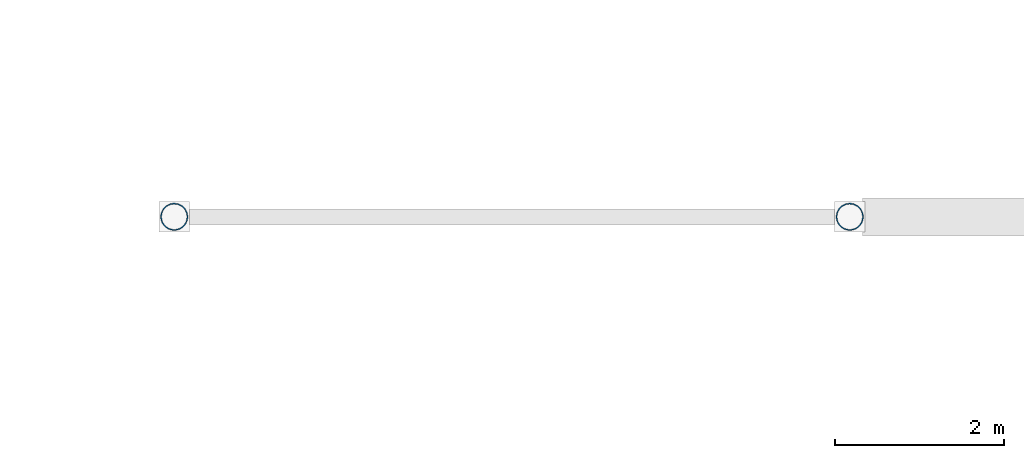
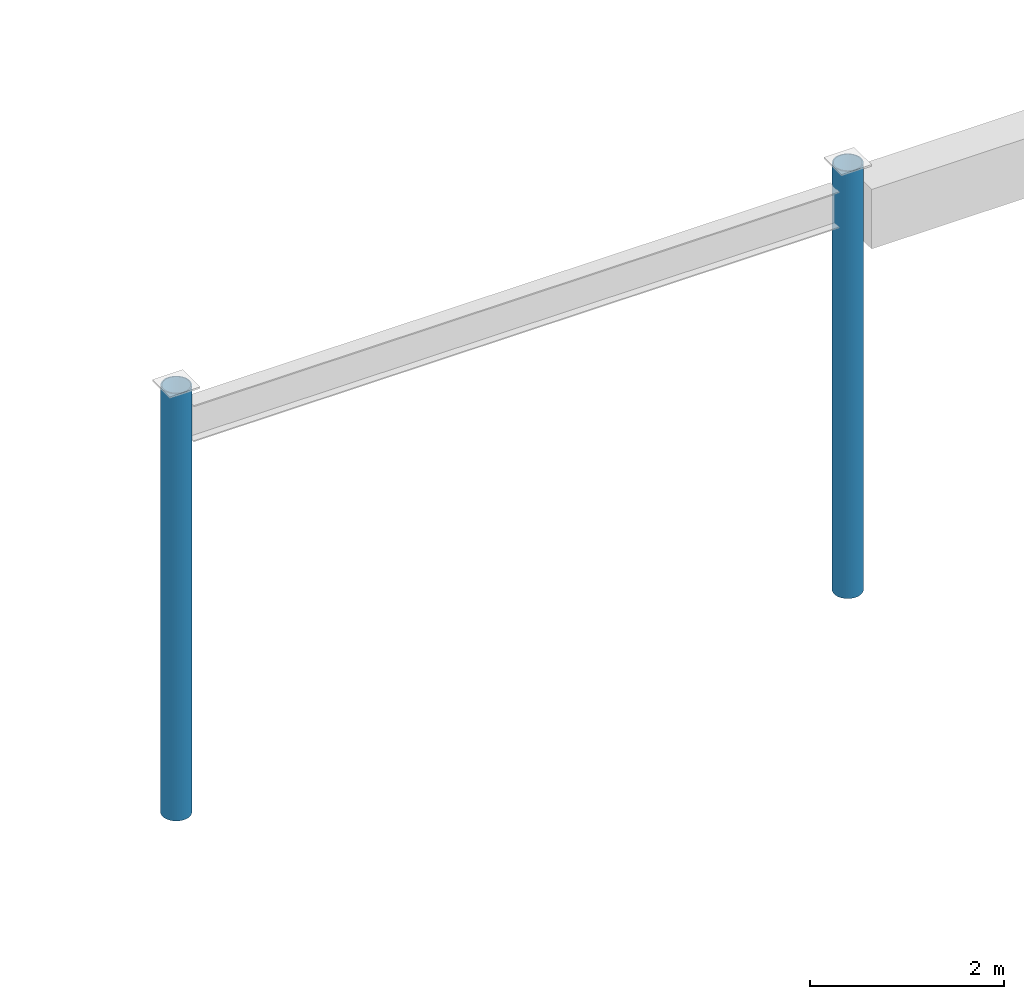
# One storey, part 2 of 93: 2 columns.
"""IFC4 building model written with IfcOpenShell, lengths in metres."""

from ifc_helpers import new_model, si_unit, direction, frame, origin, origin_2d, place, context, subcontext, project, spatial, hollow_circle, extrude, material, material_profile, profile_set, type_object, element, save


model = new_model("IFC4")

# Units and contexts
model_context = context("Model", 3, precision=1e-05, world=origin(), true_north=direction((0.0, 1.0)))
body_context = subcontext(model_context, "Body", "Model", "MODEL_VIEW")
ifc_project = project(units=[si_unit("LENGTHUNIT", "METRE"), si_unit("AREAUNIT", "SQUARE_METRE"), si_unit("VOLUMEUNIT", "CUBIC_METRE"), si_unit("PLANEANGLEUNIT", "RADIAN"), si_unit("MASSUNIT", "GRAM", prefix="KILO")], contexts=[model_context])

# Site, building, storey
site_placement = place(None, origin())
site = spatial("IfcSite", under=ifc_project, at=site_placement, CompositionType="ELEMENT")
building_placement = place(site_placement, origin())
building = spatial("IfcBuilding", under=site, at=building_placement, Name="Cinderbank Siding Concert Hall", CompositionType="ELEMENT")
storey_placement = place(building_placement, origin())
storey = spatial("IfcBuildingStorey", under=building, at=storey_placement, Name="L01", CompositionType="ELEMENT", Elevation=0.0)

# Columns
ifc_material = material(Name="Structural steel hollow section AS/NZS 1163 Grade C350L0 (350 MPa)", Category="steel")
ifc_material_profile = material_profile(ifc_material, hollow_circle(Radius=0.161865234375, WallThickness=0.0126953125, at=origin_2d()), Name="323.9x12.7CHS", Category="LoadBearing")
ifc_profile_set = profile_set([ifc_material_profile], Name="Structural steel hollow section AS/NZS 1163 Grade C350L0 (350 MPa)")
column_type = type_object("IfcColumnType", Name="C-CHS323 323.9x12.7CHS", PredefinedType="COLUMN", material=ifc_profile_set)
for number, where, z_axis, x_axis, name in (
    (1, (62.0, 32.0, 0.0), (0.0, 0.0, 1.0), (1.0, 0.0, 0.0), "L01 Column COL-PAD-01"),
    (2, (70.0, 32.0, 0.0), (0.0, 0.0, 1.0), (1.0, 0.0, 0.0), "L01 Column COL-PAD-02"),
):
    element("IfcColumn", number, at=place(storey_placement, frame(where, z_axis=z_axis, x_axis=x_axis)), inside=storey, type_object=column_type, Name=name, PredefinedType="COLUMN", context=body_context, shape_type="SweptSolid", body=[
        extrude(hollow_circle(Radius=0.161865234375, WallThickness=0.0126953125, at=origin_2d()), origin(), (0.0, 0.0, 1.0), 5.3798828125),
    ])

save(model, "model.ifc")
